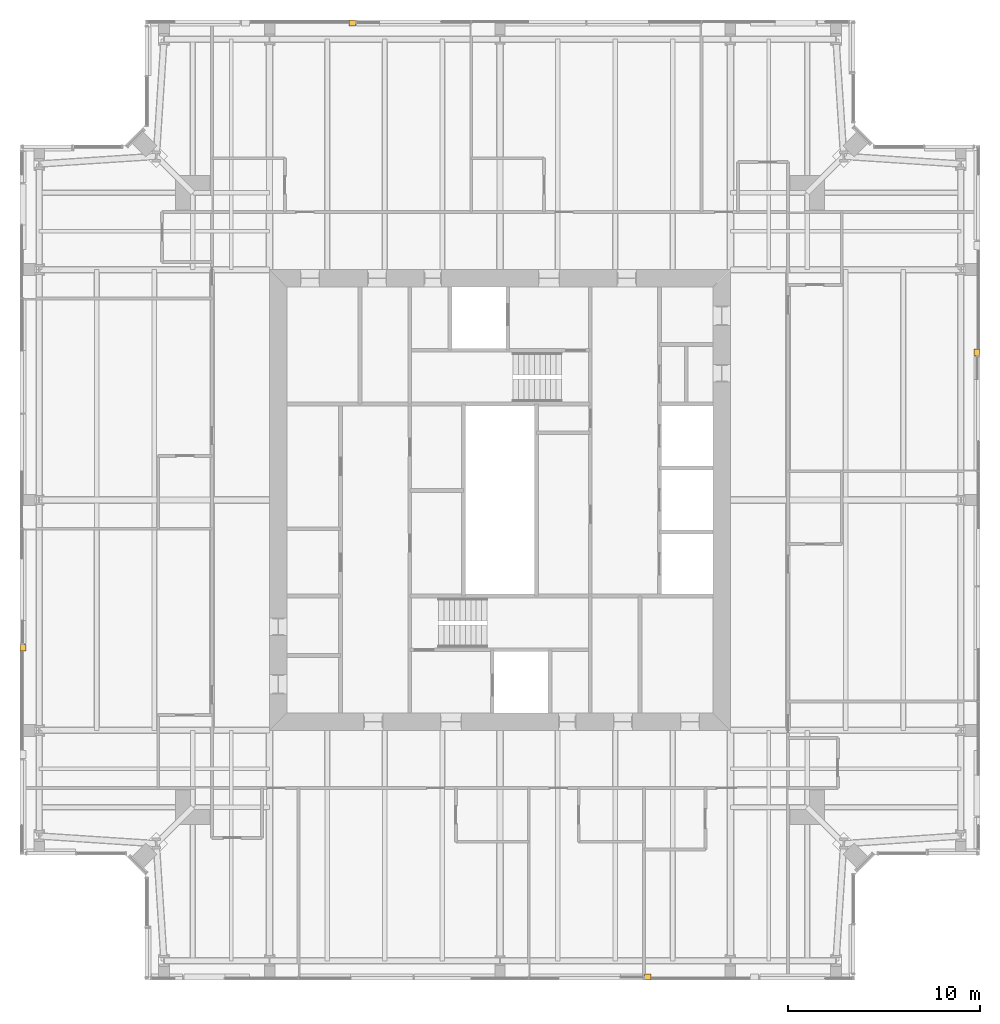
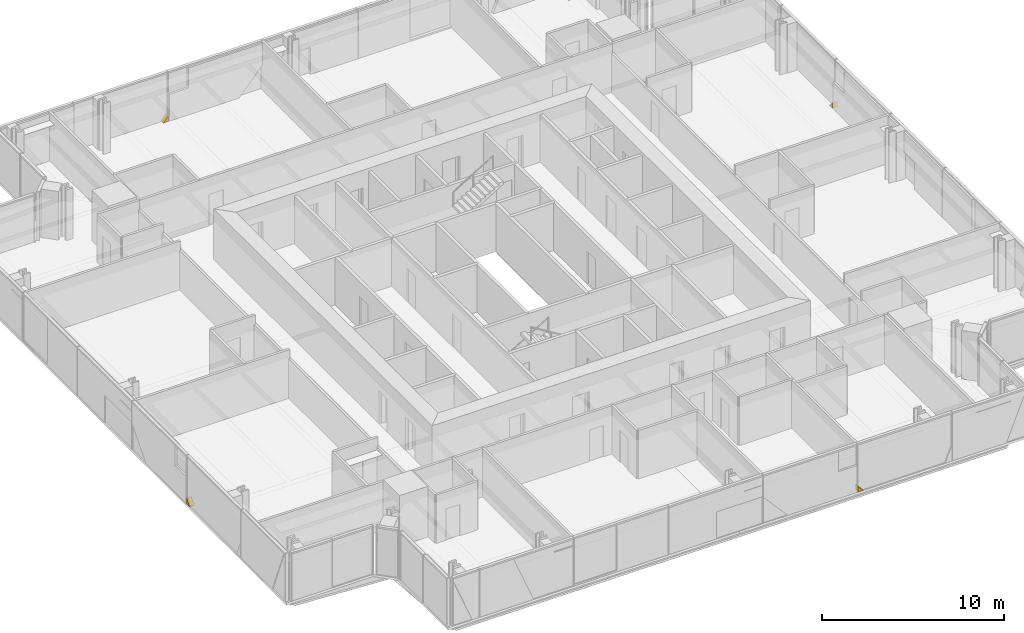
# One storey, part 20 of 20: 4 coverings.
"""IFC4 building model written with IfcOpenShell, lengths in metres."""

from ifc_helpers import new_model, si_unit, direction, frame, origin, place, context, subcontext, project, spatial, polyline, outline, extrude, material, layer, layer_set, type_object, element, save


model = new_model("IFC4")

# Units and contexts
model_context = context("Model", 3, precision=1e-05, world=origin(), true_north=direction((0.0, 1.0)))
body_context = subcontext(model_context, "Body", "Model", "MODEL_VIEW")
ifc_project = project(units=[si_unit("LENGTHUNIT", "METRE"), si_unit("AREAUNIT", "SQUARE_METRE"), si_unit("VOLUMEUNIT", "CUBIC_METRE"), si_unit("PLANEANGLEUNIT", "RADIAN"), si_unit("MASSUNIT", "GRAM", prefix="KILO")], contexts=[model_context])

# Site, building, storey
site_placement = place(None, origin())
site = spatial("IfcSite", under=ifc_project, at=site_placement, CompositionType="ELEMENT")
building_placement = place(site_placement, origin())
building = spatial("IfcBuilding", under=site, at=building_placement, Name="Fenwick Lantern Interchange", CompositionType="ELEMENT")
storey_placement = place(building_placement, frame((0.0, 0.0, 276.39990234375)))
storey = spatial("IfcBuildingStorey", under=building, at=storey_placement, Name="L66", CompositionType="ELEMENT", Elevation=276.39990234375)

# Coverings
ifc_material = material(Name="Granite cladding, warm grey flamed finish, on aluminium carrier frame", Category="masonry")
ifc_layer = layer(ifc_material, 0.300048828125)
ifc_layer_set = layer_set([ifc_layer], Name="BRACE CASING PANEL 300")
covering_type = type_object("IfcCoveringType", Name="BRACE CASING PANEL 300", PredefinedType="CLADDING", material=ifc_layer_set)
for number, where, z_axis, x_axis, name in (
    (1, (6.60009765625, 0.10009765625, 0.0), (0.0, 0.0, 1.0), (1.0, 0.0, 0.0), "Brace casing 01 bay 05a"),
    (2, (49.89990234375, 6.60009765625, 0.0), (0.0, 0.0, 1.0), (0.0, 1.0, 0.0), "Brace casing 05 bay 05a"),
    (3, (43.39990234375, 49.89990234375, 0.0), (0.0, 0.0, 1.0), (-1.0, 0.0, 0.0), "Brace casing 09 bay 05a"),
    (4, (0.10009765625, 43.39990234375, 0.0), (0.0, 0.0, 1.0), (0.0, -1.0, 0.0), "Brace casing 13 bay 05a"),
):
    element("IfcCovering", number, at=place(storey_placement, frame(where, z_axis=z_axis, x_axis=x_axis)), inside=storey, type_object=covering_type, Name=name, PredefinedType="CLADDING", context=body_context, shape_type="SweptSolid", body=[
        extrude(outline(polyline([(25.929931640625, 0.0), (26.265869140625, 0.0), (25.929931640625, 0.380615234375), (25.929931640625, 0.0)])), frame((0.0, 0.2099609375, 0.0), z_axis=(0.0, -1.0, 0.0), x_axis=(1.0, 0.0, 0.0)), (0.0, 0.0, 1.0), 0.300048828125),
    ])

save(model, "model.ifc")
